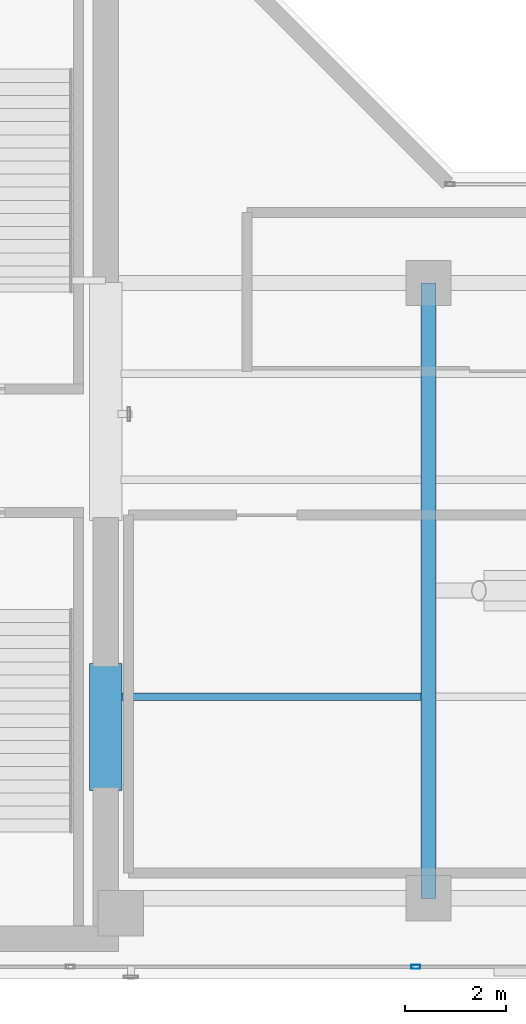
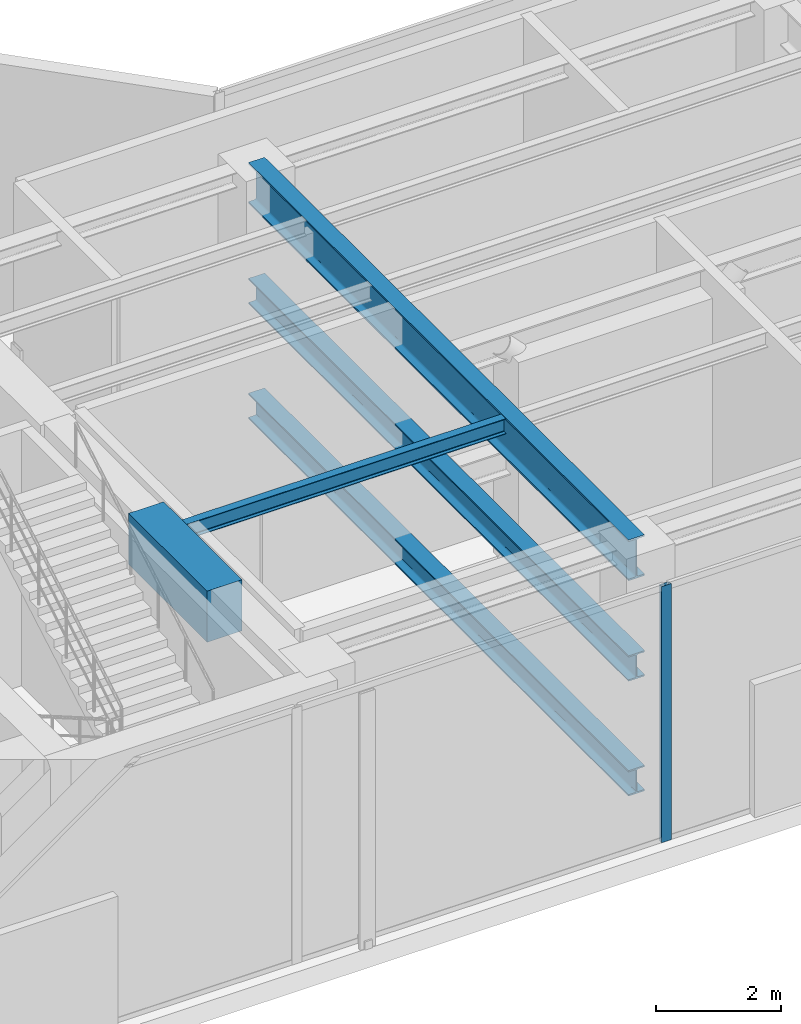
# One storey, part 6 of 29: 5 beams, 1 member, 1 element without a shape of its own.
"""IFC4 building model written with IfcOpenShell, lengths in metres."""

import ifcopenshell
import ifcopenshell.guid

model = None  # the IFC model being written
_history = None  # IfcOwnerHistory: only IFC2X3 demands one
_inside = {}  # id of a spatial element -> (the spatial element, [elements in it])
_under = {}  # id of a project, library or spatial element -> (it, [spatial elements below it])
_declared = {}  # id of a project -> (the project, [libraries it declares])
_typed = {}  # id of a type object -> (the type object, [elements of that type])
_made_of = {}  # id of a material, layer set ... -> (it, [elements and type objects made of it])


def new_model(schema):
    """Start an empty IFC model of exactly this schema.

    Asked for "IFC4X3", IfcOpenShell would pick the latest addendum, in which some entities
    have other attributes; the version numbers below select the first issue.
    IFC2X3 requires an IfcOwnerHistory on every rooted entity: one is made here for all.
    """
    global model, _history
    if schema == "IFC4X3":
        model = ifcopenshell.file(schema_version=(4, 3, 0, 0))
    else:
        model = ifcopenshell.file(schema=schema)
    _inside.clear()
    _under.clear()
    _declared.clear()
    _typed.clear()
    _made_of.clear()
    _history = None
    if model.schema == "IFC2X3":
        org = make("IfcOrganization", Name="unknown")
        user = make(
            "IfcPersonAndOrganization",
            ThePerson=make("IfcPerson", FamilyName="unknown"),
            TheOrganization=org,
        )
        app = make(
            "IfcApplication",
            ApplicationDeveloper=org,
            Version="unknown",
            ApplicationFullName="unknown",
            ApplicationIdentifier="unknown",
        )
        _history = make(
            "IfcOwnerHistory",
            OwningUser=user,
            OwningApplication=app,
            ChangeAction="ADDED",
            CreationDate=0,
        )
    return model


def make(cls, **values):
    """One entity of the class cls with the attributes given. An attribute that is None is left unset."""
    return model.create_entity(
        cls, **{name: value for name, value in values.items() if value is not None}
    )


def rooted(cls, **values):
    """An entity with a GlobalId (a new one), such as an element, a storey or a relation."""
    return make(cls, GlobalId=ifcopenshell.guid.new(), OwnerHistory=_history, **values)


def si_unit(unit_type, name, prefix=None):
    """IfcSIUnit, for example si_unit("LENGTHUNIT", "METRE", prefix="MILLI")."""
    return make("IfcSIUnit", UnitType=unit_type, Prefix=prefix, Name=name)


def assignment(units):
    """IfcUnitAssignment: the units of a project."""
    return None if units is None else make("IfcUnitAssignment", Units=units)


def point(xyz):
    """IfcCartesianPoint."""
    return None if xyz is None else make("IfcCartesianPoint", Coordinates=xyz)


def direction(xyz):
    """IfcDirection."""
    return None if xyz is None else make("IfcDirection", DirectionRatios=xyz)


def frame(location, z_axis=None, x_axis=None):
    """IfcAxis2Placement3D, a coordinate frame: its origin and axes. An axis left out is left unset."""
    return make(
        "IfcAxis2Placement3D",
        Location=point(location),
        Axis=direction(z_axis),
        RefDirection=direction(x_axis),
    )


def frame_2d(location, x_axis=None):
    """IfcAxis2Placement2D, a coordinate frame in the plane: its origin and x axis."""
    return make(
        "IfcAxis2Placement2D", Location=point(location), RefDirection=direction(x_axis)
    )


def origin():
    """The frame at (0, 0, 0) with its axes left unset."""
    return frame((0.0, 0.0, 0.0))


def origin_with_axes():
    """The frame at (0, 0, 0) with the z axis (0, 0, 1) and the x axis (1, 0, 0) written out."""
    return frame((0.0, 0.0, 0.0), z_axis=(0.0, 0.0, 1.0), x_axis=(1.0, 0.0, 0.0))


def origin_2d():
    """The frame at (0, 0) in the plane with its x axis left unset."""
    return frame_2d((0.0, 0.0))


def place(relative_to, where):
    """IfcLocalPlacement: puts the frame where relative to a parent placement (None: the world)."""
    return make(
        "IfcLocalPlacement", PlacementRelTo=relative_to, RelativePlacement=where
    )


def context(
    kind, dimensions, precision=None, world=None, true_north=None, identifier=None
):
    """IfcGeometricRepresentationContext, for example the 3D "Model" context."""
    return make(
        "IfcGeometricRepresentationContext",
        ContextIdentifier=identifier,
        ContextType=kind,
        CoordinateSpaceDimension=dimensions,
        Precision=precision,
        WorldCoordinateSystem=world,
        TrueNorth=true_north,
    )


def subcontext(parent, identifier, kind, view, scale=None):
    """IfcGeometricRepresentationSubContext, for example "Body" below "Model"."""
    return make(
        "IfcGeometricRepresentationSubContext",
        ContextIdentifier=identifier,
        ContextType=kind,
        ParentContext=parent,
        TargetScale=scale,
        TargetView=view,
    )


def project(units=None, contexts=None):
    """IfcProject with its units and contexts."""
    return rooted(
        "IfcProject",
        Name="project",
        RepresentationContexts=contexts,
        UnitsInContext=assignment(units),
    )


def spatial(cls, under=None, at=None, **own):
    """A site, building, storey or space (cls), placed at a placement, below another one or the project."""
    s = rooted(cls, ObjectPlacement=at, **own)
    if under is not None:
        _under.setdefault(under.id(), (under, []))[1].append(s)
    return s


def profile(cls, at=None, kind="AREA", **sizes):
    """A parametric profile (cls). Its sizes go by their IFC names, for example OverallWidth=200.0."""
    return make(cls, ProfileType=kind, Position=at, **sizes)


def rectangle(**sizes):
    """IfcRectangleProfileDef."""
    return profile("IfcRectangleProfileDef", **sizes)


def hollow_rectangle(**sizes):
    """IfcRectangleHollowProfileDef."""
    return profile("IfcRectangleHollowProfileDef", **sizes)


def i_section(**sizes):
    """IfcIShapeProfileDef."""
    return profile("IfcIShapeProfileDef", **sizes)


def extrude(swept, where, along, depth):
    """IfcExtrudedAreaSolid: the profile swept, set in the frame where, extruded along a direction by depth."""
    return make(
        "IfcExtrudedAreaSolid",
        SweptArea=swept,
        Position=where,
        ExtrudedDirection=direction(along),
        Depth=depth,
    )


def shape(context_of_items, identifier, shape_type, items):
    """IfcShapeRepresentation: the items that make up one representation, for example the "Body"."""
    return make(
        "IfcShapeRepresentation",
        ContextOfItems=context_of_items,
        RepresentationIdentifier=identifier,
        RepresentationType=shape_type,
        Items=items,
    )


def source(mapping_origin, context_of_items, identifier, shape_type, items):
    """IfcRepresentationMap: a shape defined once, which mapped items show again and again."""
    return make(
        "IfcRepresentationMap",
        MappingOrigin=mapping_origin,
        MappedRepresentation=shape(context_of_items, identifier, shape_type, items),
    )


def transform(
    local_origin,
    x_axis=None,
    y_axis=None,
    z_axis=None,
    scale=None,
    scale2=None,
    scale3=None,
    uniform=True,
):
    """IfcCartesianTransformationOperator3D, or its non-uniform kind. x_axis, y_axis, z_axis: its Axis1, 2, 3."""
    if uniform:
        return make(
            "IfcCartesianTransformationOperator3D",
            Axis1=direction(x_axis),
            Axis2=direction(y_axis),
            LocalOrigin=point(local_origin),
            Scale=scale,
            Axis3=direction(z_axis),
        )
    return make(
        "IfcCartesianTransformationOperator3DnonUniform",
        Axis1=direction(x_axis),
        Axis2=direction(y_axis),
        LocalOrigin=point(local_origin),
        Scale=scale,
        Axis3=direction(z_axis),
        Scale2=scale2,
        Scale3=scale3,
    )


def mapped(mapping_source, mapping_target):
    """IfcMappedItem: shows the shape of a source again, moved by a transform."""
    return make(
        "IfcMappedItem", MappingSource=mapping_source, MappingTarget=mapping_target
    )


def material(Name=None, Category=None):
    """IfcMaterial."""
    return make("IfcMaterial", Name=Name, Category=Category)


def layer(
    of_material, thickness, ventilated=None, Name=None, Category=None, Priority=None
):
    """IfcMaterialLayer: one layer of a wall or slab, of a material (None: an air gap)."""
    return make(
        "IfcMaterialLayer",
        Material=of_material,
        LayerThickness=thickness,
        IsVentilated=ventilated,
        Name=Name,
        Category=Category,
        Priority=Priority,
    )


def layer_set(layers, Name=None):
    """IfcMaterialLayerSet."""
    return make("IfcMaterialLayerSet", MaterialLayers=layers, LayerSetName=Name)


def material_profile(
    of_material, cross_section, Name=None, Category=None, Priority=None
):
    """IfcMaterialProfile: a cross section and its material."""
    return make(
        "IfcMaterialProfile",
        Name=Name,
        Material=of_material,
        Profile=cross_section,
        Priority=Priority,
        Category=Category,
    )


def profile_set(profiles, Name=None, composite=None):
    """IfcMaterialProfileSet."""
    return make(
        "IfcMaterialProfileSet",
        Name=Name,
        MaterialProfiles=profiles,
        CompositeProfile=composite,
    )


def made_of(thing, what):
    """Note that an element or type object is made of a material, layer set ...; save() writes the relation."""
    if what is not None:
        _made_of.setdefault(what.id(), (what, []))[1].append(thing)
    return thing


def type_object(cls, material=None, **own):
    """A type object (cls), such as IfcWallType, which elements share."""
    return made_of(rooted(cls, **own), material)


def element(
    cls,
    number,
    at=None,
    inside=None,
    cuts=None,
    type_object=None,
    material=None,
    context=None,
    identifier="Body",
    shape_type=None,
    held_by="IfcProductDefinitionShape",
    body=None,
    shapes=None,
    **own,
):
    """One element of the class cls, such as IfcWall. Its Tag is "e" and its number.

    at: its placement. inside: the storey or other place that contains it. cuts: it is an
    opening in that element (IfcRelVoidsElement). A single representation is given by context,
    identifier, shape_type and body (its items); several are given by shapes. held_by: the class
    of the entity that holds the representations. save() writes the other relations.
    """
    e = rooted(cls, Tag="e%d" % number, ObjectPlacement=at, **own)
    if body is not None:
        shapes = [shape(context, identifier, shape_type, body)]
    if shapes is not None:
        e.Representation = make(held_by, Representations=shapes)
    if inside is not None:
        _inside.setdefault(inside.id(), (inside, []))[1].append(e)
    if cuts is not None:
        rooted(
            "IfcRelVoidsElement", RelatingBuildingElement=cuts, RelatedOpeningElement=e
        )
    if type_object is not None:
        _typed.setdefault(type_object.id(), (type_object, []))[1].append(e)
    return made_of(e, material)


def aggregate(whole, parts):
    """IfcRelAggregates: a whole, such as a stair, and the parts it consists of."""
    return rooted("IfcRelAggregates", RelatingObject=whole, RelatedObjects=parts)


def save(model, path):
    """Write the relations noted so far, then the file.

    IfcRelAggregates (storeys below a building ...), IfcRelContainedInSpatialStructure (elements
    in a storey), IfcRelDefinesByType, IfcRelAssociatesMaterial and IfcRelDeclares: one each for
    every whole, place, type object, material and project.
    """
    for whole, parts in _under.values():
        aggregate(whole, parts)
    for where, things in _inside.values():
        rooted(
            "IfcRelContainedInSpatialStructure",
            RelatedElements=things,
            RelatingStructure=where,
        )
    for kind, things in _typed.values():
        rooted("IfcRelDefinesByType", RelatedObjects=things, RelatingType=kind)
    for what, things in _made_of.values():
        rooted("IfcRelAssociatesMaterial", RelatedObjects=things, RelatingMaterial=what)
    for by, libraries in _declared.values():
        rooted("IfcRelDeclares", RelatingContext=by, RelatedDefinitions=libraries)
    model.write(path)


model = new_model("IFC4")

# Units and contexts
model_context = context("Model", 3, precision=1e-05, world=origin(), true_north=direction((0.0, 1.0)))
body_context = subcontext(model_context, "Body", "Model", "MODEL_VIEW")
ifc_project = project(units=[si_unit("LENGTHUNIT", "METRE"), si_unit("AREAUNIT", "SQUARE_METRE"), si_unit("VOLUMEUNIT", "CUBIC_METRE"), si_unit("PLANEANGLEUNIT", "RADIAN"), si_unit("MASSUNIT", "GRAM", prefix="KILO")], contexts=[model_context])

# Site, building, storey
site_placement = place(None, origin())
site = spatial("IfcSite", under=ifc_project, at=site_placement, CompositionType="ELEMENT")
building_placement = place(site_placement, origin())
building = spatial("IfcBuilding", under=site, at=building_placement, Name="Kolvaren Waterfront Exchange", CompositionType="ELEMENT")
storey_placement = place(building_placement, frame((0.0, 0.0, 338.800048828125)))
storey = spatial("IfcBuildingStorey", under=building, at=storey_placement, Name="L87", CompositionType="ELEMENT", Elevation=338.800048828125)

# Beams
ifc_material_1 = material(Name="Steel S355", Category="steel")
ifc_material_profile_1 = material_profile(ifc_material_1, i_section(OverallWidth=0.300048828125, OverallDepth=0.5, WebThickness=0.014404296875, FlangeThickness=0.028076171875, FilletRadius=0.027099609375, at=origin_2d()), Name="HEB500")
ifc_profile_set_1 = profile_set([ifc_material_profile_1], Name="Steel S355")
beam_type_1 = type_object("IfcBeamType", Name="STR-BM-HEB500", PredefinedType="BEAM", material=ifc_profile_set_1)
for number, where, z_axis, x_axis, name in (
    (1, (27.199951171875, 5.199951171875, 0.25), (0.0, 1.0, 0.0), (-1.0, 0.0, 0.0), "L87 Venturi turbine portal sill cross-beam X27"),
    (2, (27.199951171875, 5.199951171875, 2.5), (0.0, 1.0, 0.0), (-1.0, 0.0, 0.0), "L87 Venturi turbine portal hub cross-beam X27"),
):
    element("IfcBeam", number, at=place(storey_placement, frame(where, z_axis=z_axis, x_axis=x_axis)), inside=storey, type_object=beam_type_1, Name=name, PredefinedType="BEAM", context=body_context, shape_type="SweptSolid", body=[
        extrude(i_section(OverallWidth=0.300048828125, OverallDepth=0.5, WebThickness=0.014404296875, FlangeThickness=0.028076171875, FilletRadius=0.027099609375, at=origin_2d()), origin(), (0.0, 0.0, 1.0), 12.199951171875),
    ])
ifc_material_profile_2 = material_profile(ifc_material_1, i_section(OverallWidth=0.300048828125, OverallDepth=0.800048828125, WebThickness=0.017578125, FlangeThickness=0.032958984375, FilletRadius=0.030029296875, at=origin_2d()), Name="HEB800")
ifc_profile_set_2 = profile_set([ifc_material_profile_2], Name="Steel S355")
beam_type_2 = type_object("IfcBeamType", Name="STR-BM-HEB800", PredefinedType="BEAM", material=ifc_profile_set_2)
beam_1_placement = place(storey_placement, frame((27.199951171875, 5.199951171875, 4.619873046875), z_axis=(0.0, 1.0, 0.0), x_axis=(-1.0, 0.0, 0.0)))
element("IfcBeam", 3, at=beam_1_placement, inside=storey, type_object=beam_type_2, Name="L87 east-arm transverse girder X27", PredefinedType="BEAM", context=body_context, shape_type="SweptSolid", body=[
    extrude(i_section(OverallWidth=0.300048828125, OverallDepth=0.800048828125, WebThickness=0.017578125, FlangeThickness=0.032958984375, FilletRadius=0.030029296875, at=origin_2d()), origin(), (0.0, 0.0, 1.0), 12.199951171875),
])
ifc_material_profile_3 = material_profile(ifc_material_1, i_section(OverallWidth=0.14990234375, OverallDepth=0.300048828125, WebThickness=0.007080078125, FlangeThickness=0.0107421875, FilletRadius=0.014892578125, at=origin_2d()), Name="IPE300")
ifc_profile_set_3 = profile_set([ifc_material_profile_3], Name="Steel S355")
beam_type_3 = type_object("IfcBeamType", Name="STR-BM-IPE300", PredefinedType="JOIST", material=ifc_profile_set_3)
beam_2_placement = place(storey_placement, frame((21.10009765625, 9.199951171875, 4.869873046875), z_axis=(1.0, 0.0, 0.0), x_axis=(0.0, 1.0, 0.0)))
element("IfcBeam", 4, at=beam_2_placement, inside=storey, type_object=beam_type_3, Name="L87 east-arm composite joist 1B", PredefinedType="JOIST", context=body_context, shape_type="SweptSolid", body=[
    extrude(i_section(OverallWidth=0.14990234375, OverallDepth=0.300048828125, WebThickness=0.007080078125, FlangeThickness=0.0107421875, FilletRadius=0.014892578125, at=origin_2d()), origin(), (0.0, 0.0, 1.0), 5.947998046875),
])
ifc_material_2 = material(Name="Concrete C60/75", Category="concrete")
ifc_material_profile_4 = material_profile(ifc_material_2, rectangle(XDim=0.64990234375, YDim=1.0, at=origin_2d()), Name="RC-CB-1000x650")
ifc_profile_set_4 = profile_set([ifc_material_profile_4], Name="Concrete C60/75")
beam_type_4 = type_object("IfcBeamType", Name="STR-CB-1000", PredefinedType="SPANDREL", material=ifc_profile_set_4)
beam_3_placement = place(storey_placement, frame((20.800048828125, 7.340087890625, 4.52001953125), z_axis=(0.0, 1.0, 0.0), x_axis=(-1.0, 0.0, 0.0)))
element("IfcBeam", 5, at=beam_3_placement, inside=storey, type_object=beam_type_4, Name="L87 core coupling beam 1", PredefinedType="SPANDREL", context=body_context, shape_type="SweptSolid", body=[
    extrude(rectangle(XDim=0.64990234375, YDim=1.0, at=origin_2d()), origin(), (0.0, 0.0, 1.0), 2.52001953125),
])

# Curtain wall, member
ifc_material_3 = material(Name="Anodised dark bronze spandrel aluminium", Category="aluminium")
ifc_layer = layer(ifc_material_3, 0.219970703125, Name="Anodised dark bronze spandrel aluminium")
ifc_layer_set = layer_set([ifc_layer], Name="Anodised dark bronze spandrel aluminium")
curtain_wall_type = type_object("IfcCurtainWallType", Name="ARC-CW-SYS6", PredefinedType="USERDEFINED", material=ifc_layer_set)
curtain_wall_placement = place(storey_placement, origin())
curtain_wall = element("IfcCurtainWall", 6, at=curtain_wall_placement, inside=storey, type_object=curtain_wall_type, Name="L87 stick curtain wall CW6 (CW-L87-S)", ObjectType="STICK CURTAIN WALL", PredefinedType="USERDEFINED")
ifc_material_4 = material(Name="Anodised bronze aluminium 6063-T6", Category="aluminium")
ifc_material_profile_5 = material_profile(ifc_material_4, hollow_rectangle(XDim=0.074951171875, YDim=0.179931640625, WallThickness=0.00439453125, at=origin_2d()), Name="ALU-MUL-180x75x4.5")
ifc_profile_set_5 = profile_set([ifc_material_profile_5], Name="Anodised bronze aluminium 6063-T6")
member_type = type_object("IfcMemberType", Name="ARC-CWM-180", PredefinedType="MULLION", material=ifc_profile_set_5)
shared_shape = source(origin_with_axes(), body_context, "Body", "SweptSolid", [
    extrude(hollow_rectangle(XDim=0.074951171875, YDim=0.179931640625, WallThickness=0.00439453125, at=origin_2d()), origin(), (0.0, 0.0, 1.0), 5.02001953125),
])
member_placement = place(storey_placement, frame((26.949951171875, 3.840087890625, 0.0), z_axis=(0.0, 0.0, 1.0), x_axis=(0.0, 1.0, 0.0)))
member = element("IfcMember", 7, at=member_placement, type_object=member_type, Name="CW6 mullion 4", PredefinedType="MULLION", context=body_context, shape_type="MappedRepresentation", body=[
    mapped(shared_shape, transform((0.0, 0.0, 0.0), x_axis=(1.0, 0.0, 0.0), y_axis=(0.0, 1.0, 0.0), z_axis=(0.0, 0.0, 1.0), scale=1.0)),
])
aggregate(curtain_wall, [member])

save(model, "model.ifc")
